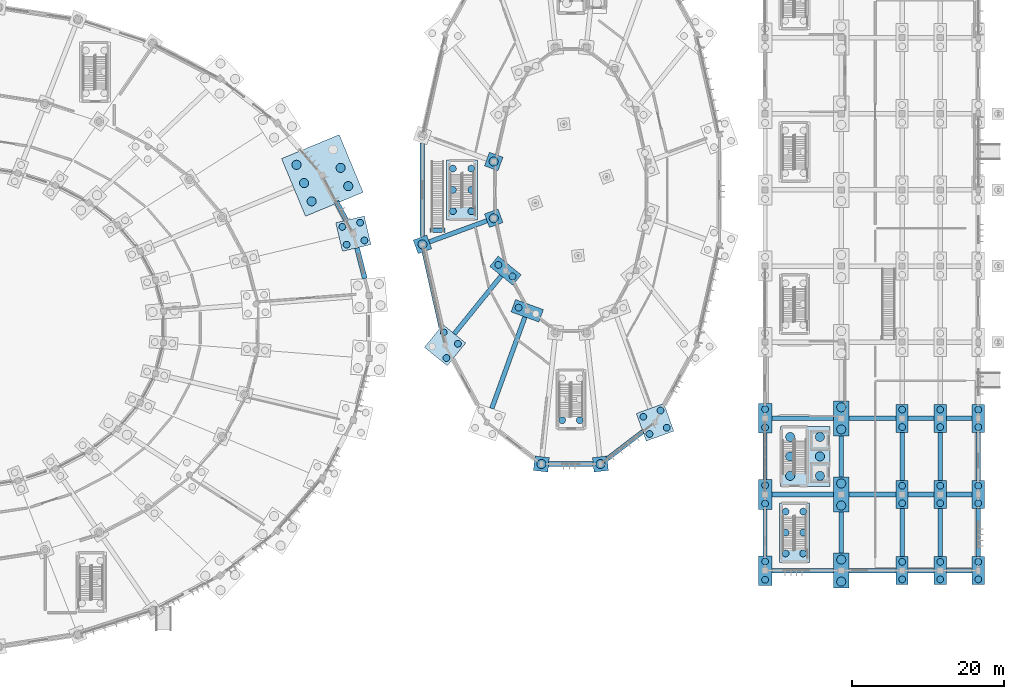
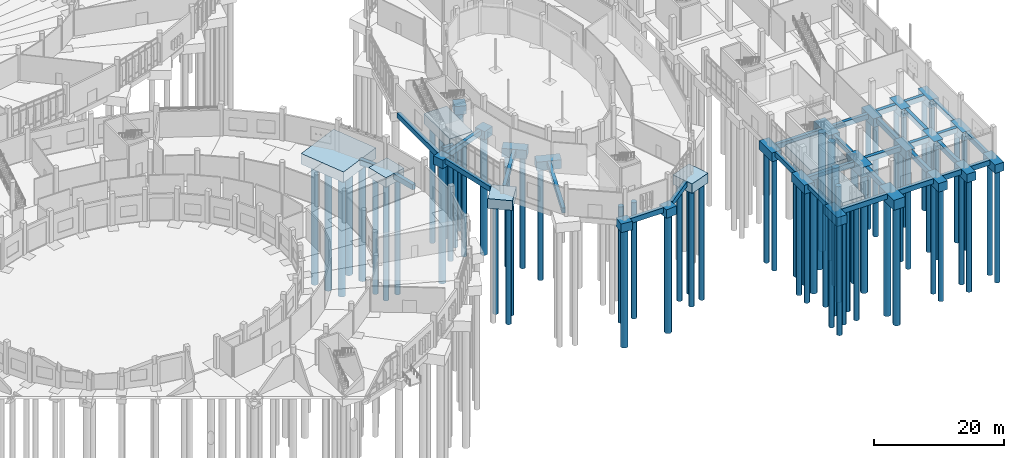
# One storey, part 8 of 140: 74 piles, 61 footings.
"""IFC4 building model written with IfcOpenShell, lengths in metres."""

from ifc_helpers import new_model, si_unit, direction, frame, origin, origin_2d, place, context, subcontext, project, spatial, rectangle, circle, extrude, material, layer, layer_set, material_profile, profile_set, type_object, element, save


model = new_model("IFC4")

# Units and contexts
model_context = context("Model", 3, precision=1e-05, world=origin(), true_north=direction((0.0, 1.0)))
body_context = subcontext(model_context, "Body", "Model", "MODEL_VIEW")
ifc_project = project(units=[si_unit("LENGTHUNIT", "METRE"), si_unit("AREAUNIT", "SQUARE_METRE"), si_unit("VOLUMEUNIT", "CUBIC_METRE"), si_unit("PLANEANGLEUNIT", "RADIAN"), si_unit("MASSUNIT", "GRAM", prefix="KILO")], contexts=[model_context])

# Site, building, storey
site_placement = place(None, origin())
site = spatial("IfcSite", under=ifc_project, at=site_placement, CompositionType="ELEMENT")
building_placement = place(site_placement, origin())
building = spatial("IfcBuilding", under=site, at=building_placement, Name="Corvandel Quay Wholesale Market", CompositionType="ELEMENT")
storey_placement = place(building_placement, origin())
storey = spatial("IfcBuildingStorey", under=building, at=storey_placement, Name="L00", CompositionType="ELEMENT", Elevation=0.0)

# Piles
ifc_material = material(Name="Concrete C40/50", Category="concrete")
ifc_material_profile_1 = material_profile(ifc_material, circle(Radius=0.60009765625, at=origin_2d()), Name="RC-PILE-D1200")
ifc_profile_set_1 = profile_set([ifc_material_profile_1], Name="Concrete C40/50")
pile_type_1 = type_object("IfcPileType", Name="Bored Pile D1200 L22.2", PredefinedType="BORED", material=ifc_profile_set_1)
for number, where, z_axis, x_axis, name in (
    (1, (223.300048828125, 22.449951171875, -1.85009765625), (0.0, 0.0, -1.0), (1.0, 0.0, 0.0), "Bored Pile PIL-0035"),
    (2, (227.199951171875, 22.449951171875, -1.85009765625), (0.0, 0.0, -1.0), (1.0, 0.0, 0.0), "Bored Pile PIL-0036"),
    (3, (223.300048828125, 25.0, -1.85009765625), (0.0, 0.0, -1.0), (1.0, 0.0, 0.0), "Bored Pile PIL-0037"),
    (4, (227.199951171875, 25.0, -1.85009765625), (0.0, 0.0, -1.0), (1.0, 0.0, 0.0), "Bored Pile PIL-0038"),
    (5, (223.300048828125, 27.550048828125, -1.85009765625), (0.0, 0.0, -1.0), (1.0, 0.0, 0.0), "Bored Pile PIL-0039"),
    (6, (227.199951171875, 27.550048828125, -1.85009765625), (0.0, 0.0, -1.0), (1.0, 0.0, 0.0), "Bored Pile PIL-0040"),
    (7, (184.360107421875, 63.72412109375, -1.5), (0.0, 0.0, -1.0), (1.0, 0.0, 0.0), "Bored Pile PIL-0532"),
    (8, (175.0, 52.839111328125, -1.5), (0.0, 0.0, -1.0), (1.0, 0.0, 0.0), "Bored Pile PIL-0533"),
    (9, (184.360107421875, 56.27587890625, -1.5), (0.0, 0.0, -1.0), (1.0, 0.0, 0.0), "Bored Pile PIL-0534"),
    (10, (190.62109375, 24.0, -1.5), (0.0, 0.0, -1.0), (1.0, 0.0, 0.0), "Bored Pile PIL-0548"),
    (11, (198.37890625, 24.0, -1.5), (0.0, 0.0, -1.0), (1.0, 0.0, 0.0), "Bored Pile PIL-0550"),
    (12, (230.0, 8.550048828125, -1.75), (0.0, 0.0, -1.0), (1.0, 0.0, 0.0), "Bored Pile PIL-0772"),
    (13, (230.0, 11.449951171875, -1.75), (0.0, 0.0, -1.0), (1.0, 0.0, 0.0), "Bored Pile PIL-0773"),
    (14, (230.0, 18.550048828125, -1.75), (0.0, 0.0, -1.0), (1.0, 0.0, 0.0), "Bored Pile PIL-0774"),
    (15, (230.0, 21.449951171875, -1.75), (0.0, 0.0, -1.0), (1.0, 0.0, 0.0), "Bored Pile PIL-0775"),
    (16, (230.0, 28.550048828125, -1.75), (0.0, 0.0, -1.0), (1.0, 0.0, 0.0), "Bored Pile PIL-0776"),
    (17, (230.0, 31.449951171875, -1.75), (0.0, 0.0, -1.0), (1.0, 0.0, 0.0), "Bored Pile PIL-0777"),
):
    element("IfcPile", number, at=place(storey_placement, frame(where, z_axis=z_axis, x_axis=x_axis)), inside=storey, type_object=pile_type_1, Name=name, PredefinedType="BORED", context=body_context, shape_type="SweptSolid", body=[
        extrude(circle(Radius=0.60009765625, at=origin_2d()), origin(), (0.0, 0.0, 1.0), 22.199951171875),
    ])
ifc_material_profile_2 = material_profile(ifc_material, circle(Radius=0.60009765625, at=origin_2d()), Name="RC-PILE-D1200")
ifc_profile_set_2 = profile_set([ifc_material_profile_2], Name="Concrete C40/50")
pile_type_2 = type_object("IfcPileType", Name="Bored Pile D1200 L22.6", PredefinedType="BORED", material=ifc_profile_set_2)
for number, where, z_axis, x_axis, name in (
    (18, (165.2529296875, 60.490966796875, -1.89990234375), (0.0, 0.0, -1.0), (1.0, 0.0, 0.0), "Bored Pile PIL-0143"),
    (19, (164.2548828125, 62.89208984375, -1.89990234375), (0.0, 0.0, -1.0), (1.0, 0.0, 0.0), "Bored Pile PIL-0144"),
    (20, (160.450927734375, 58.4951171875, -1.89990234375), (0.0, 0.0, -1.0), (1.0, 0.0, 0.0), "Bored Pile PIL-0146"),
    (21, (159.452880859375, 60.89599609375, -1.89990234375), (0.0, 0.0, -1.0), (1.0, 0.0, 0.0), "Bored Pile PIL-0147"),
    (22, (158.455078125, 63.297119140625, -1.89990234375), (0.0, 0.0, -1.0), (1.0, 0.0, 0.0), "Bored Pile PIL-0148"),
):
    element("IfcPile", number, at=place(storey_placement, frame(where, z_axis=z_axis, x_axis=x_axis)), inside=storey, type_object=pile_type_2, Name=name, PredefinedType="BORED", context=body_context, shape_type="SweptSolid", body=[
        extrude(circle(Radius=0.60009765625, at=origin_2d()), origin(), (0.0, 0.0, 1.0), 22.60009765625),
    ])
ifc_material_profile_3 = material_profile(ifc_material, circle(Radius=0.449951171875, at=origin_2d()), Name="RC-PILE-D900")
ifc_profile_set_3 = profile_set([ifc_material_profile_3], Name="Concrete C40/50")
pile_type_3 = type_object("IfcPileType", Name="Bored Pile D900 L21.0", PredefinedType="BORED", material=ifc_profile_set_3)
for number, where, z_axis, x_axis, name in (
    (23, (186.8359375, 48.639892578125, -1.550048828125), (0.0, 0.0, -1.0), (1.0, 0.0, 0.0), "Bored Pile PIL-0540"),
    (24, (184.971923828125, 50.152099609375, -1.550048828125), (0.0, 0.0, -1.0), (1.0, 0.0, 0.0), "Bored Pile PIL-0541"),
    (25, (187.6279296875, 44.5380859375, -1.550048828125), (0.0, 0.0, -1.0), (1.0, 0.0, 0.0), "Bored Pile PIL-0547"),
    (26, (220.0, 8.800048828125, -1.550048828125), (0.0, 0.0, -1.0), (1.0, 0.0, 0.0), "Bored Pile PIL-0750"),
    (27, (220.0, 11.199951171875, -1.550048828125), (0.0, 0.0, -1.0), (1.0, 0.0, 0.0), "Bored Pile PIL-0751"),
    (28, (220.0, 18.800048828125, -1.550048828125), (0.0, 0.0, -1.0), (1.0, 0.0, 0.0), "Bored Pile PIL-0752"),
    (29, (220.0, 21.199951171875, -1.550048828125), (0.0, 0.0, -1.0), (1.0, 0.0, 0.0), "Bored Pile PIL-0753"),
    (30, (220.0, 28.800048828125, -1.550048828125), (0.0, 0.0, -1.0), (1.0, 0.0, 0.0), "Bored Pile PIL-0754"),
    (31, (220.0, 31.199951171875, -1.550048828125), (0.0, 0.0, -1.0), (1.0, 0.0, 0.0), "Bored Pile PIL-0755"),
    (32, (238.0, 8.85009765625, -1.5), (0.0, 0.0, -1.0), (1.0, 0.0, 0.0), "Bored Pile PIL-0794"),
    (33, (238.0, 11.14990234375, -1.5), (0.0, 0.0, -1.0), (1.0, 0.0, 0.0), "Bored Pile PIL-0795"),
    (34, (238.0, 18.85009765625, -1.5), (0.0, 0.0, -1.0), (1.0, 0.0, 0.0), "Bored Pile PIL-0796"),
    (35, (238.0, 21.14990234375, -1.5), (0.0, 0.0, -1.0), (1.0, 0.0, 0.0), "Bored Pile PIL-0797"),
    (36, (238.0, 28.85009765625, -1.5), (0.0, 0.0, -1.0), (1.0, 0.0, 0.0), "Bored Pile PIL-0798"),
    (37, (238.0, 31.14990234375, -1.5), (0.0, 0.0, -1.0), (1.0, 0.0, 0.0), "Bored Pile PIL-0799"),
    (38, (243.0, 8.85009765625, -1.5), (0.0, 0.0, -1.0), (1.0, 0.0, 0.0), "Bored Pile PIL-0816"),
    (39, (243.0, 11.14990234375, -1.5), (0.0, 0.0, -1.0), (1.0, 0.0, 0.0), "Bored Pile PIL-0817"),
    (40, (243.0, 18.85009765625, -1.5), (0.0, 0.0, -1.0), (1.0, 0.0, 0.0), "Bored Pile PIL-0818"),
    (41, (243.0, 21.14990234375, -1.5), (0.0, 0.0, -1.0), (1.0, 0.0, 0.0), "Bored Pile PIL-0819"),
    (42, (243.0, 28.85009765625, -1.5), (0.0, 0.0, -1.0), (1.0, 0.0, 0.0), "Bored Pile PIL-0820"),
    (43, (243.0, 31.14990234375, -1.5), (0.0, 0.0, -1.0), (1.0, 0.0, 0.0), "Bored Pile PIL-0821"),
    (44, (248.0, 8.85009765625, -1.5), (0.0, 0.0, -1.0), (1.0, 0.0, 0.0), "Bored Pile PIL-0838"),
    (45, (248.0, 11.14990234375, -1.5), (0.0, 0.0, -1.0), (1.0, 0.0, 0.0), "Bored Pile PIL-0839"),
    (46, (248.0, 18.85009765625, -1.5), (0.0, 0.0, -1.0), (1.0, 0.0, 0.0), "Bored Pile PIL-0840"),
    (47, (248.0, 21.14990234375, -1.5), (0.0, 0.0, -1.0), (1.0, 0.0, 0.0), "Bored Pile PIL-0841"),
    (48, (248.0, 28.85009765625, -1.5), (0.0, 0.0, -1.0), (1.0, 0.0, 0.0), "Bored Pile PIL-0842"),
    (49, (248.0, 31.14990234375, -1.5), (0.0, 0.0, -1.0), (1.0, 0.0, 0.0), "Bored Pile PIL-0843"),
):
    element("IfcPile", number, at=place(storey_placement, frame(where, z_axis=z_axis, x_axis=x_axis)), inside=storey, type_object=pile_type_3, Name=name, PredefinedType="BORED", context=body_context, shape_type="SweptSolid", body=[
        extrude(circle(Radius=0.449951171875, at=origin_2d()), origin(), (0.0, 0.0, 1.0), 21.0),
    ])
ifc_material_profile_4 = material_profile(ifc_material, circle(Radius=0.449951171875, at=origin_2d()), Name="RC-PILE-D900")
ifc_profile_set_4 = profile_set([ifc_material_profile_4], Name="Concrete C40/50")
pile_type_4 = type_object("IfcPileType", Name="Bored Pile D900 L21.8", PredefinedType="BORED", material=ifc_profile_set_4)
for number, where, z_axis, x_axis, name in (
    (50, (193.35009765625, 29.75, -1.800048828125), (0.0, 0.0, -1.0), (1.0, 0.0, 0.0), "Bored Pile PIL-0071"),
    (51, (195.64990234375, 29.75, -1.800048828125), (0.0, 0.0, -1.0), (1.0, 0.0, 0.0), "Bored Pile PIL-0072"),
    (52, (179.0, 57.199951171875, -1.85009765625), (0.0, 0.0, -1.0), (1.0, 0.0, 0.0), "Bored Pile PIL-0077"),
    (53, (181.39990234375, 57.199951171875, -1.85009765625), (0.0, 0.0, -1.0), (1.0, 0.0, 0.0), "Bored Pile PIL-0078"),
    (54, (179.0, 60.0, -1.85009765625), (0.0, 0.0, -1.0), (1.0, 0.0, 0.0), "Bored Pile PIL-0079"),
    (55, (181.39990234375, 60.0, -1.85009765625), (0.0, 0.0, -1.0), (1.0, 0.0, 0.0), "Bored Pile PIL-0080"),
    (56, (179.0, 62.800048828125, -1.85009765625), (0.0, 0.0, -1.0), (1.0, 0.0, 0.0), "Bored Pile PIL-0081"),
    (57, (181.39990234375, 62.800048828125, -1.85009765625), (0.0, 0.0, -1.0), (1.0, 0.0, 0.0), "Bored Pile PIL-0082"),
    (58, (222.699951171875, 12.25, -1.800048828125), (0.0, 0.0, -1.0), (1.0, 0.0, 0.0), "Bored Pile PIL-0113"),
    (59, (225.0, 12.25, -1.800048828125), (0.0, 0.0, -1.0), (1.0, 0.0, 0.0), "Bored Pile PIL-0114"),
    (60, (222.699951171875, 15.0, -1.800048828125), (0.0, 0.0, -1.0), (1.0, 0.0, 0.0), "Bored Pile PIL-0115"),
    (61, (225.0, 15.0, -1.800048828125), (0.0, 0.0, -1.0), (1.0, 0.0, 0.0), "Bored Pile PIL-0116"),
    (62, (222.699951171875, 17.75, -1.800048828125), (0.0, 0.0, -1.0), (1.0, 0.0, 0.0), "Bored Pile PIL-0117"),
    (63, (225.0, 17.75, -1.800048828125), (0.0, 0.0, -1.0), (1.0, 0.0, 0.0), "Bored Pile PIL-0118"),
    (64, (167.368896484375, 53.35888671875, -1.699951171875), (0.0, 0.0, -1.0), (1.0, 0.0, 0.0), "Bored Pile PIL-0135"),
    (65, (166.81689453125, 55.695068359375, -1.699951171875), (0.0, 0.0, -1.0), (1.0, 0.0, 0.0), "Bored Pile PIL-0136"),
    (66, (165.032958984375, 52.806884765625, -1.699951171875), (0.0, 0.0, -1.0), (1.0, 0.0, 0.0), "Bored Pile PIL-0137"),
    (67, (164.48095703125, 55.14306640625, -1.699951171875), (0.0, 0.0, -1.0), (1.0, 0.0, 0.0), "Bored Pile PIL-0138"),
    (68, (179.656982421875, 39.784912109375, -1.699951171875), (0.0, 0.0, -1.0), (1.0, 0.0, 0.0), "Bored Pile PIL-0536"),
    (69, (177.7919921875, 41.2958984375, -1.699951171875), (0.0, 0.0, -1.0), (1.0, 0.0, 0.0), "Bored Pile PIL-0537"),
    (70, (178.14599609375, 37.919921875, -1.699951171875), (0.0, 0.0, -1.0), (1.0, 0.0, 0.0), "Bored Pile PIL-0538"),
    (71, (204.825927734375, 27.944091796875, -1.699951171875), (0.0, 0.0, -1.0), (1.0, 0.0, 0.0), "Bored Pile PIL-0553"),
    (72, (207.0830078125, 28.760986328125, -1.699951171875), (0.0, 0.0, -1.0), (1.0, 0.0, 0.0), "Bored Pile PIL-0554"),
    (73, (204.009033203125, 30.200927734375, -1.699951171875), (0.0, 0.0, -1.0), (1.0, 0.0, 0.0), "Bored Pile PIL-0555"),
    (74, (206.26611328125, 31.01806640625, -1.699951171875), (0.0, 0.0, -1.0), (1.0, 0.0, 0.0), "Bored Pile PIL-0556"),
):
    element("IfcPile", number, at=place(storey_placement, frame(where, z_axis=z_axis, x_axis=x_axis)), inside=storey, type_object=pile_type_4, Name=name, PredefinedType="BORED", context=body_context, shape_type="SweptSolid", body=[
        extrude(circle(Radius=0.449951171875, at=origin_2d()), origin(), (0.0, 0.0, 1.0), 21.800048828125),
    ])

# Footings
ifc_layer_1 = layer(ifc_material, 2.0)
ifc_layer_set_1 = layer_set([ifc_layer_1], Name="Concrete C40/50")
footing_type_1 = type_object("IfcFootingType", Name="Core Mat Cap PC17 8200x8200x2000", PredefinedType="PILE_CAP", material=ifc_layer_set_1)
footing_1_placement = place(storey_placement, frame((161.85400390625, 61.89404296875, -2.0), z_axis=(0.0, 0.0, 1.0), x_axis=(-0.383811878264, 0.923411307113, 0.0)))
element("IfcFooting", 75, at=footing_1_placement, inside=storey, type_object=footing_type_1, Name="Pile Cap FND-0029", PredefinedType="PILE_CAP", context=body_context, shape_type="SweptSolid", body=[
    extrude(rectangle(XDim=8.199951171875, YDim=8.199951171875, at=origin_2d()), origin(), (0.0, 0.0, 1.0), 2.0),
])
ifc_layer_2 = layer(ifc_material, 1.949951171875)
ifc_layer_set_2 = layer_set([ifc_layer_2], Name="Concrete C40/50")
footing_type_2 = type_object("IfcFootingType", Name="Core Mat Cap PC20 6500x7900x1950", PredefinedType="PILE_CAP", material=ifc_layer_set_2)
footing_2_placement = place(storey_placement, frame((225.25, 25.0, -1.9501953125), z_axis=(0.0, 0.0, 1.0), x_axis=(1.0, 0.0, 0.0)))
element("IfcFooting", 76, at=footing_2_placement, inside=storey, type_object=footing_type_2, Name="Pile Cap FND-0008", PredefinedType="PILE_CAP", context=body_context, shape_type="SweptSolid", body=[
    extrude(rectangle(XDim=6.5, YDim=7.89990234375, at=origin_2d()), origin(), (0.0, 0.0, 1.0), 1.949951171875),
])
ifc_layer_3 = layer(ifc_material, 0.89990234375)
ifc_layer_set_3 = layer_set([ifc_layer_3], Name="Concrete C40/50")
footing_type_3 = type_object("IfcFootingType", Name="Perimeter Grade Beam GB03 550x900", PredefinedType="FOOTING_BEAM", material=ifc_layer_set_3)
for number, where, z_axis, x_axis, name in (
    (77, (220.0, 15.0, -0.89990234375), (0.0, 0.0, 1.0), (0.0, 1.0, 0.0), "Grade Beam FND-0722"),
    (78, (220.0, 25.0, -0.89990234375), (0.0, 0.0, 1.0), (0.0, 1.0, 0.0), "Grade Beam FND-0723"),
):
    element("IfcFooting", number, at=place(storey_placement, frame(where, z_axis=z_axis, x_axis=x_axis)), inside=storey, type_object=footing_type_3, Name=name, PredefinedType="FOOTING_BEAM", context=body_context, shape_type="SweptSolid", body=[
        extrude(rectangle(XDim=6.10009765625, YDim=0.550048828125, at=origin_2d()), origin(), (0.0, 0.0, 1.0), 0.89990234375),
    ])
for number, where, z_axis, x_axis, name in (
    (79, (248.0, 15.0, -0.89990234375), (0.0, 0.0, 1.0), (0.0, 1.0, 0.0), "Grade Beam FND-0762"),
    (80, (248.0, 25.0, -0.89990234375), (0.0, 0.0, 1.0), (0.0, 1.0, 0.0), "Grade Beam FND-0763"),
):
    element("IfcFooting", number, at=place(storey_placement, frame(where, z_axis=z_axis, x_axis=x_axis)), inside=storey, type_object=footing_type_3, Name=name, PredefinedType="FOOTING_BEAM", context=body_context, shape_type="SweptSolid", body=[
        extrude(rectangle(XDim=6.300048828125, YDim=0.550048828125, at=origin_2d()), origin(), (0.0, 0.0, 1.0), 0.89990234375),
    ])
footing_3_placement = place(storey_placement, frame((177.0, 54.699951171875, -0.89990234375), z_axis=(0.0, 0.0, 1.0), x_axis=(1.0, 0.0, 0.0)))
element("IfcFooting", 81, at=footing_3_placement, inside=storey, type_object=footing_type_3, Name="Stair Toe Grade Beam FND-0778", PredefinedType="FOOTING_BEAM", context=body_context, shape_type="SweptSolid", body=[
    extrude(rectangle(XDim=1.949951171875, YDim=0.550048828125, at=origin_2d()), origin(), (0.0, 0.0, 1.0), 0.89990234375),
])
ifc_layer_4 = layer(ifc_material, 1.60009765625)
ifc_layer_set_4 = layer_set([ifc_layer_4], Name="Concrete C40/50")
footing_type_4 = type_object("IfcFootingType", Name="Pile Cap PC01 1600x3700x1600", PredefinedType="PILE_CAP", material=ifc_layer_set_4)
for number, where, z_axis, x_axis, name in (
    (82, (238.0, 10.0, -1.60009765625), (0.0, 0.0, 1.0), (1.0, 0.0, 0.0), "Pile Cap FND-0645"),
    (83, (238.0, 20.0, -1.60009765625), (0.0, 0.0, 1.0), (1.0, 0.0, 0.0), "Pile Cap FND-0646"),
    (84, (238.0, 30.0, -1.60009765625), (0.0, 0.0, 1.0), (1.0, 0.0, 0.0), "Pile Cap FND-0647"),
    (85, (243.0, 10.0, -1.60009765625), (0.0, 0.0, 1.0), (1.0, 0.0, 0.0), "Pile Cap FND-0656"),
    (86, (243.0, 20.0, -1.60009765625), (0.0, 0.0, 1.0), (1.0, 0.0, 0.0), "Pile Cap FND-0657"),
    (87, (243.0, 30.0, -1.60009765625), (0.0, 0.0, 1.0), (1.0, 0.0, 0.0), "Pile Cap FND-0658"),
    (88, (248.0, 10.0, -1.60009765625), (0.0, 0.0, 1.0), (1.0, 0.0, 0.0), "Pile Cap FND-0667"),
    (89, (248.0, 20.0, -1.60009765625), (0.0, 0.0, 1.0), (1.0, 0.0, 0.0), "Pile Cap FND-0668"),
    (90, (248.0, 30.0, -1.60009765625), (0.0, 0.0, 1.0), (1.0, 0.0, 0.0), "Pile Cap FND-0669"),
):
    element("IfcFooting", number, at=place(storey_placement, frame(where, z_axis=z_axis, x_axis=x_axis)), inside=storey, type_object=footing_type_4, Name=name, PredefinedType="PILE_CAP", context=body_context, shape_type="SweptSolid", body=[
        extrude(rectangle(XDim=1.60009765625, YDim=3.699951171875, at=origin_2d()), origin(), (0.0, 0.0, 1.0), 1.60009765625),
    ])
ifc_layer_5 = layer(ifc_material, 1.64990234375)
ifc_layer_set_5 = layer_set([ifc_layer_5], Name="Concrete C40/50")
footing_type_5 = type_object("IfcFootingType", Name="Pile Cap PC03 1750x3900x1650", PredefinedType="PILE_CAP", material=ifc_layer_set_5)
for number, where, z_axis, x_axis, name in (
    (91, (220.0, 10.0, -1.64990234375), (0.0, 0.0, 1.0), (1.0, 0.0, 0.0), "Pile Cap FND-0623"),
    (92, (220.0, 20.0, -1.64990234375), (0.0, 0.0, 1.0), (1.0, 0.0, 0.0), "Pile Cap FND-0624"),
    (93, (220.0, 30.0, -1.64990234375), (0.0, 0.0, 1.0), (1.0, 0.0, 0.0), "Pile Cap FND-0625"),
):
    element("IfcFooting", number, at=place(storey_placement, frame(where, z_axis=z_axis, x_axis=x_axis)), inside=storey, type_object=footing_type_5, Name=name, PredefinedType="PILE_CAP", context=body_context, shape_type="SweptSolid", body=[
        extrude(rectangle(XDim=1.75, YDim=3.89990234375, at=origin_2d()), origin(), (0.0, 0.0, 1.0), 1.64990234375),
    ])
ifc_layer_6 = layer(ifc_material, 1.64990234375)
ifc_layer_set_6 = layer_set([ifc_layer_6], Name="Concrete C40/50")
footing_type_6 = type_object("IfcFootingType", Name="Pile Cap PC04 3900x1750x1650", PredefinedType="PILE_CAP", material=ifc_layer_set_6)
for number, where, z_axis, x_axis, name in (
    (94, (185.904052734375, 49.39599609375, -1.64990234375), (0.0, 0.0, 1.0), (-0.776816343556, 0.629727217439, 0.0), "Pile Cap FND-0357"),
    (95, (188.756103515625, 44.1298828125, -1.64990234375), (0.0, 0.0, 1.0), (-0.94028812701, 0.340379550213, 0.0), "Pile Cap FND-0359"),
):
    element("IfcFooting", number, at=place(storey_placement, frame(where, z_axis=z_axis, x_axis=x_axis)), inside=storey, type_object=footing_type_6, Name=name, PredefinedType="PILE_CAP", context=body_context, shape_type="SweptSolid", body=[
        extrude(rectangle(XDim=3.89990234375, YDim=1.75, at=origin_2d()), origin(), (0.0, 0.0, 1.0), 1.64990234375),
    ])
ifc_layer_7 = layer(ifc_material, 1.800048828125)
ifc_layer_set_7 = layer_set([ifc_layer_7], Name="Concrete C40/50")
footing_type_7 = type_object("IfcFootingType", Name="Pile Cap PC06 3850x3850x1800", PredefinedType="PILE_CAP", material=ifc_layer_set_7)
for number, where, z_axis, x_axis, name in (
    (96, (165.925048828125, 54.2509765625, -1.7998046875), (0.0, 0.0, 1.0), (-0.229710019669, 0.973259115993, 0.0), "Pile Cap FND-0026"),
    (97, (177.968994140625, 39.60791015625, -1.7998046875), (0.0, 0.0, 1.0), (-0.776816343556, 0.629727217439, 0.0), "Pile Cap FND-0356"),
    (98, (205.5458984375, 29.48095703125, -1.7998046875), (0.0, 0.0, 1.0), (0.94028812701, 0.340379550213, 0.0), "Pile Cap FND-0365"),
):
    element("IfcFooting", number, at=place(storey_placement, frame(where, z_axis=z_axis, x_axis=x_axis)), inside=storey, type_object=footing_type_7, Name=name, PredefinedType="PILE_CAP", context=body_context, shape_type="SweptSolid", body=[
        extrude(rectangle(XDim=3.85009765625, YDim=3.85009765625, at=origin_2d()), origin(), (0.0, 0.0, 1.0), 1.800048828125),
    ])
ifc_layer_8 = layer(ifc_material, 1.85009765625)
ifc_layer_set_8 = layer_set([ifc_layer_8], Name="Concrete C40/50")
footing_type_8 = type_object("IfcFootingType", Name="Pile Cap PC09 2000x4600x1850", PredefinedType="PILE_CAP", material=ifc_layer_set_8)
for number, where, z_axis, x_axis, name in (
    (99, (230.0, 10.0, -1.85009765625), (0.0, 0.0, 1.0), (1.0, 0.0, 0.0), "Pile Cap FND-0634"),
    (100, (230.0, 20.0, -1.85009765625), (0.0, 0.0, 1.0), (1.0, 0.0, 0.0), "Pile Cap FND-0635"),
    (101, (230.0, 30.0, -1.85009765625), (0.0, 0.0, 1.0), (1.0, 0.0, 0.0), "Pile Cap FND-0636"),
):
    element("IfcFooting", number, at=place(storey_placement, frame(where, z_axis=z_axis, x_axis=x_axis)), inside=storey, type_object=footing_type_8, Name=name, PredefinedType="PILE_CAP", context=body_context, shape_type="SweptSolid", body=[
        extrude(rectangle(XDim=2.0, YDim=4.60009765625, at=origin_2d()), origin(), (0.0, 0.0, 1.0), 1.85009765625),
    ])
ifc_layer_9 = layer(ifc_material, 1.60009765625)
ifc_layer_set_9 = layer_set([ifc_layer_9], Name="Concrete C40/50")
footing_type_9 = type_object("IfcFootingType", Name="Pile Cap PC16 1900x1900x1600", PredefinedType="PILE_CAP", material=ifc_layer_set_9)
for number, where, z_axis, x_axis, name in (
    (102, (184.360107421875, 63.72412109375, -1.60009765625), (0.0, 0.0, 1.0), (0.344642923175, 0.938733857654, 0.0), "Pile Cap FND-0352"),
    (103, (175.0, 52.839111328125, -1.60009765625), (0.0, 0.0, 1.0), (-0.344642923175, 0.938733857654, 0.0), "Pile Cap FND-0353"),
    (104, (184.360107421875, 56.27587890625, -1.60009765625), (0.0, 0.0, 1.0), (-0.344642923175, 0.938733857654, 0.0), "Pile Cap FND-0354"),
    (105, (190.62109375, 24.0, -1.60009765625), (0.0, 0.0, 1.0), (-0.994244832633, 0.107131754314, 0.0), "Pile Cap FND-0360"),
    (106, (198.37890625, 24.0, -1.60009765625), (0.0, 0.0, 1.0), (0.994244832633, 0.107131754314, 0.0), "Pile Cap FND-0362"),
):
    element("IfcFooting", number, at=place(storey_placement, frame(where, z_axis=z_axis, x_axis=x_axis)), inside=storey, type_object=footing_type_9, Name=name, PredefinedType="PILE_CAP", context=body_context, shape_type="SweptSolid", body=[
        extrude(rectangle(XDim=1.89990234375, YDim=1.89990234375, at=origin_2d()), origin(), (0.0, 0.0, 1.0), 1.60009765625),
    ])
ifc_layer_10 = layer(ifc_material, 0.949951171875)
ifc_layer_set_10 = layer_set([ifc_layer_10], Name="Concrete C40/50")
footing_type_10 = type_object("IfcFootingType", Name="Seismic Tie Beam GB01 600x950", PredefinedType="FOOTING_BEAM", material=ifc_layer_set_10)
footing_4_placement = place(storey_placement, frame((175.0, 60.0, -0.9501953125), z_axis=(0.0, 0.0, 1.0), x_axis=(0.0, 1.0, 0.0)))
element("IfcFooting", 107, at=footing_4_placement, inside=storey, type_object=footing_type_10, Name="Grade Beam FND-0385", PredefinedType="FOOTING_BEAM", context=body_context, shape_type="SweptSolid", body=[
    extrude(rectangle(XDim=12.298095703125, YDim=0.60009765625, at=origin_2d()), origin(), (0.0, 0.0, 1.0), 0.949951171875),
])
footing_5_placement = place(storey_placement, frame((176.321044921875, 46.952880859375, -0.9501953125), z_axis=(0.0, 0.0, 1.0), x_axis=(-0.218994806262, 0.975726024471, 0.0)))
element("IfcFooting", 108, at=footing_5_placement, inside=storey, type_object=footing_type_10, Name="Grade Beam FND-0387", PredefinedType="FOOTING_BEAM", context=body_context, shape_type="SweptSolid", body=[
    extrude(rectangle(XDim=10.14794921875, YDim=0.60009765625, at=origin_2d()), origin(), (0.0, 0.0, 1.0), 0.949951171875),
])
footing_6_placement = place(storey_placement, frame((179.679931640625, 54.55810546875, -0.9501953125), z_axis=(0.0, 0.0, 1.0), x_axis=(0.938733857654, 0.344642923175, 0.0)))
element("IfcFooting", 109, at=footing_6_placement, inside=storey, type_object=footing_type_10, Name="Grade Beam FND-0388", PredefinedType="FOOTING_BEAM", context=body_context, shape_type="SweptSolid", body=[
    extrude(rectangle(XDim=8.071044921875, YDim=0.60009765625, at=origin_2d()), origin(), (0.0, 0.0, 1.0), 0.949951171875),
])
footing_7_placement = place(storey_placement, frame((182.26708984375, 44.909912109375, -0.9501953125), z_axis=(0.0, 0.0, 1.0), x_axis=(0.629727217439, 0.776816343556, 0.0)))
element("IfcFooting", 110, at=footing_7_placement, inside=storey, type_object=footing_type_10, Name="Grade Beam FND-0390", PredefinedType="FOOTING_BEAM", context=body_context, shape_type="SweptSolid", body=[
    extrude(rectangle(XDim=9.800048828125, YDim=0.60009765625, at=origin_2d()), origin(), (0.0, 0.0, 1.0), 0.949951171875),
])
footing_8_placement = place(storey_placement, frame((186.283935546875, 37.299072265625, -0.9501953125), z_axis=(0.0, 0.0, 1.0), x_axis=(0.340379550213, 0.94028812701, 0.0)))
element("IfcFooting", 111, at=footing_8_placement, inside=storey, type_object=footing_type_10, Name="Grade Beam FND-0392", PredefinedType="FOOTING_BEAM", context=body_context, shape_type="SweptSolid", body=[
    extrude(rectangle(XDim=12.779052734375, YDim=0.60009765625, at=origin_2d()), origin(), (0.0, 0.0, 1.0), 0.949951171875),
])
footing_9_placement = place(storey_placement, frame((194.5, 24.0, -0.9501953125), z_axis=(0.0, 0.0, 1.0), x_axis=(1.0, 0.0, 0.0)))
element("IfcFooting", 112, at=footing_9_placement, inside=storey, type_object=footing_type_10, Name="Grade Beam FND-0393", PredefinedType="FOOTING_BEAM", context=body_context, shape_type="SweptSolid", body=[
    extrude(rectangle(XDim=5.846923828125, YDim=0.60009765625, at=origin_2d()), origin(), (0.0, 0.0, 1.0), 0.949951171875),
])
footing_10_placement = place(storey_placement, frame((201.60205078125, 26.465087890625, -0.9501953125), z_axis=(0.0, 0.0, 1.0), x_axis=(0.794308601354, 0.607514481979, 0.0)))
element("IfcFooting", 113, at=footing_10_placement, inside=storey, type_object=footing_type_10, Name="Grade Beam FND-0395", PredefinedType="FOOTING_BEAM", context=body_context, shape_type="SweptSolid", body=[
    extrude(rectangle(XDim=5.89306640625, YDim=0.60009765625, at=origin_2d()), origin(), (0.0, 0.0, 1.0), 0.949951171875),
])
footing_11_placement = place(storey_placement, frame((224.93798828125, 10.0, -0.9501953125), z_axis=(0.0, 0.0, 1.0), x_axis=(1.0, 0.0, 0.0)))
element("IfcFooting", 114, at=footing_11_placement, inside=storey, type_object=footing_type_10, Name="Grade Beam FND-0678", PredefinedType="FOOTING_BEAM", context=body_context, shape_type="SweptSolid", body=[
    extrude(rectangle(XDim=8.125, YDim=0.60009765625, at=origin_2d()), origin(), (0.0, 0.0, 1.0), 0.949951171875),
])
footing_12_placement = place(storey_placement, frame((234.10009765625, 10.0, -0.9501953125), z_axis=(0.0, 0.0, 1.0), x_axis=(1.0, 0.0, 0.0)))
element("IfcFooting", 115, at=footing_12_placement, inside=storey, type_object=footing_type_10, Name="Grade Beam FND-0679", PredefinedType="FOOTING_BEAM", context=body_context, shape_type="SweptSolid", body=[
    extrude(rectangle(XDim=6.199951171875, YDim=0.60009765625, at=origin_2d()), origin(), (0.0, 0.0, 1.0), 0.949951171875),
])
for number, where, z_axis, x_axis, name in (
    (116, (240.5, 10.0, -0.9501953125), (0.0, 0.0, 1.0), (1.0, 0.0, 0.0), "Grade Beam FND-0680"),
    (117, (245.5, 10.0, -0.9501953125), (0.0, 0.0, 1.0), (1.0, 0.0, 0.0), "Grade Beam FND-0681"),
):
    element("IfcFooting", number, at=place(storey_placement, frame(where, z_axis=z_axis, x_axis=x_axis)), inside=storey, type_object=footing_type_10, Name=name, PredefinedType="FOOTING_BEAM", context=body_context, shape_type="SweptSolid", body=[
        extrude(rectangle(XDim=3.39990234375, YDim=0.60009765625, at=origin_2d()), origin(), (0.0, 0.0, 1.0), 0.949951171875),
    ])
footing_13_placement = place(storey_placement, frame((224.93798828125, 20.0, -0.9501953125), z_axis=(0.0, 0.0, 1.0), x_axis=(1.0, 0.0, 0.0)))
element("IfcFooting", 118, at=footing_13_placement, inside=storey, type_object=footing_type_10, Name="Grade Beam FND-0682", PredefinedType="FOOTING_BEAM", context=body_context, shape_type="SweptSolid", body=[
    extrude(rectangle(XDim=8.125, YDim=0.60009765625, at=origin_2d()), origin(), (0.0, 0.0, 1.0), 0.949951171875),
])
footing_14_placement = place(storey_placement, frame((234.10009765625, 20.0, -0.9501953125), z_axis=(0.0, 0.0, 1.0), x_axis=(1.0, 0.0, 0.0)))
element("IfcFooting", 119, at=footing_14_placement, inside=storey, type_object=footing_type_10, Name="Grade Beam FND-0683", PredefinedType="FOOTING_BEAM", context=body_context, shape_type="SweptSolid", body=[
    extrude(rectangle(XDim=6.199951171875, YDim=0.60009765625, at=origin_2d()), origin(), (0.0, 0.0, 1.0), 0.949951171875),
])
for number, where, z_axis, x_axis, name in (
    (120, (240.5, 20.0, -0.9501953125), (0.0, 0.0, 1.0), (1.0, 0.0, 0.0), "Grade Beam FND-0684"),
    (121, (245.5, 20.0, -0.9501953125), (0.0, 0.0, 1.0), (1.0, 0.0, 0.0), "Grade Beam FND-0685"),
):
    element("IfcFooting", number, at=place(storey_placement, frame(where, z_axis=z_axis, x_axis=x_axis)), inside=storey, type_object=footing_type_10, Name=name, PredefinedType="FOOTING_BEAM", context=body_context, shape_type="SweptSolid", body=[
        extrude(rectangle(XDim=3.39990234375, YDim=0.60009765625, at=origin_2d()), origin(), (0.0, 0.0, 1.0), 0.949951171875),
    ])
footing_15_placement = place(storey_placement, frame((224.93798828125, 30.0, -0.9501953125), z_axis=(0.0, 0.0, 1.0), x_axis=(1.0, 0.0, 0.0)))
element("IfcFooting", 122, at=footing_15_placement, inside=storey, type_object=footing_type_10, Name="Grade Beam FND-0686", PredefinedType="FOOTING_BEAM", context=body_context, shape_type="SweptSolid", body=[
    extrude(rectangle(XDim=8.125, YDim=0.60009765625, at=origin_2d()), origin(), (0.0, 0.0, 1.0), 0.949951171875),
])
footing_16_placement = place(storey_placement, frame((234.10009765625, 30.0, -0.9501953125), z_axis=(0.0, 0.0, 1.0), x_axis=(1.0, 0.0, 0.0)))
element("IfcFooting", 123, at=footing_16_placement, inside=storey, type_object=footing_type_10, Name="Grade Beam FND-0687", PredefinedType="FOOTING_BEAM", context=body_context, shape_type="SweptSolid", body=[
    extrude(rectangle(XDim=6.199951171875, YDim=0.60009765625, at=origin_2d()), origin(), (0.0, 0.0, 1.0), 0.949951171875),
])
for number, where, z_axis, x_axis, name in (
    (124, (240.5, 30.0, -0.9501953125), (0.0, 0.0, 1.0), (1.0, 0.0, 0.0), "Grade Beam FND-0688"),
    (125, (245.5, 30.0, -0.9501953125), (0.0, 0.0, 1.0), (1.0, 0.0, 0.0), "Grade Beam FND-0689"),
):
    element("IfcFooting", number, at=place(storey_placement, frame(where, z_axis=z_axis, x_axis=x_axis)), inside=storey, type_object=footing_type_10, Name=name, PredefinedType="FOOTING_BEAM", context=body_context, shape_type="SweptSolid", body=[
        extrude(rectangle(XDim=3.39990234375, YDim=0.60009765625, at=origin_2d()), origin(), (0.0, 0.0, 1.0), 0.949951171875),
    ])
for number, where, z_axis, x_axis, name in (
    (126, (230.0, 15.0, -0.9501953125), (0.0, 0.0, 1.0), (0.0, 1.0, 0.0), "Grade Beam FND-0732"),
    (127, (230.0, 25.0, -0.9501953125), (0.0, 0.0, 1.0), (0.0, 1.0, 0.0), "Grade Beam FND-0733"),
):
    element("IfcFooting", number, at=place(storey_placement, frame(where, z_axis=z_axis, x_axis=x_axis)), inside=storey, type_object=footing_type_10, Name=name, PredefinedType="FOOTING_BEAM", context=body_context, shape_type="SweptSolid", body=[
        extrude(rectangle(XDim=5.39990234375, YDim=0.60009765625, at=origin_2d()), origin(), (0.0, 0.0, 1.0), 0.949951171875),
    ])
for number, where, z_axis, x_axis, name in (
    (128, (238.0, 15.0, -0.9501953125), (0.0, 0.0, 1.0), (0.0, 1.0, 0.0), "Grade Beam FND-0742"),
    (129, (238.0, 25.0, -0.9501953125), (0.0, 0.0, 1.0), (0.0, 1.0, 0.0), "Grade Beam FND-0743"),
    (130, (243.0, 15.0, -0.9501953125), (0.0, 0.0, 1.0), (0.0, 1.0, 0.0), "Grade Beam FND-0752"),
    (131, (243.0, 25.0, -0.9501953125), (0.0, 0.0, 1.0), (0.0, 1.0, 0.0), "Grade Beam FND-0753"),
):
    element("IfcFooting", number, at=place(storey_placement, frame(where, z_axis=z_axis, x_axis=x_axis)), inside=storey, type_object=footing_type_10, Name=name, PredefinedType="FOOTING_BEAM", context=body_context, shape_type="SweptSolid", body=[
        extrude(rectangle(XDim=6.300048828125, YDim=0.60009765625, at=origin_2d()), origin(), (0.0, 0.0, 1.0), 0.949951171875),
    ])
ifc_layer_11 = layer(ifc_material, 1.0)
ifc_layer_set_11 = layer_set([ifc_layer_11], Name="Concrete C40/50")
footing_type_11 = type_object("IfcFootingType", Name="Seismic Tie Beam GB02 650x1000", PredefinedType="FOOTING_BEAM", material=ifc_layer_set_11)
footing_17_placement = place(storey_placement, frame((166.91796875, 50.367919921875, -1.0), z_axis=(0.0, 0.0, 1.0), x_axis=(-0.247675453076, 0.968843057437, 0.0)))
element("IfcFooting", 132, at=footing_17_placement, inside=storey, type_object=footing_type_11, Name="Grade Beam FND-0119", PredefinedType="FOOTING_BEAM", context=body_context, shape_type="SweptSolid", body=[
    extrude(rectangle(XDim=4.1650390625, YDim=0.64990234375, at=origin_2d()), origin(), (0.0, 0.0, 1.0), 1.0),
])
footing_18_placement = place(storey_placement, frame((164.337890625, 57.23095703125, -1.0), z_axis=(0.0, 0.0, 1.0), x_axis=(-0.470087862033, 0.882619624736, 0.0)))
element("IfcFooting", 133, at=footing_18_placement, inside=storey, type_object=footing_type_11, Name="Grade Beam FND-0123", PredefinedType="FOOTING_BEAM", context=body_context, shape_type="SweptSolid", body=[
    extrude(rectangle(XDim=2.77197265625, YDim=0.64990234375, at=origin_2d()), origin(), (0.0, 0.0, 1.0), 1.0),
])
ifc_layer_12 = layer(ifc_material, 1.89990234375)
ifc_layer_set_12 = layer_set([ifc_layer_12], Name="Concrete C40/50")
footing_type_12 = type_object("IfcFootingType", Name="Shaft Pile Cap PC13 3900x7800x1900", PredefinedType="PILE_CAP", material=ifc_layer_set_12)
footing_19_placement = place(storey_placement, frame((223.85009765625, 15.0, -1.89990234375), z_axis=(0.0, 0.0, 1.0), x_axis=(1.0, 0.0, 0.0)))
element("IfcFooting", 134, at=footing_19_placement, inside=storey, type_object=footing_type_12, Name="Pile Cap FND-0021", PredefinedType="PILE_CAP", context=body_context, shape_type="SweptSolid", body=[
    extrude(rectangle(XDim=3.89990234375, YDim=7.800048828125, at=origin_2d()), origin(), (0.0, 0.0, 1.0), 1.89990234375),
])
ifc_layer_13 = layer(ifc_material, 1.949951171875)
ifc_layer_set_13 = layer_set([ifc_layer_13], Name="Concrete C40/50")
footing_type_13 = type_object("IfcFootingType", Name="Shaft Pile Cap PC14 4050x7900x1950", PredefinedType="PILE_CAP", material=ifc_layer_set_13)
footing_20_placement = place(storey_placement, frame((180.199951171875, 60.0, -1.9501953125), z_axis=(0.0, 0.0, 1.0), x_axis=(1.0, 0.0, 0.0)))
element("IfcFooting", 135, at=footing_20_placement, inside=storey, type_object=footing_type_13, Name="Pile Cap FND-0015", PredefinedType="PILE_CAP", context=body_context, shape_type="SweptSolid", body=[
    extrude(rectangle(XDim=4.050048828125, YDim=7.89990234375, at=origin_2d()), origin(), (0.0, 0.0, 1.0), 1.949951171875),
])

save(model, "model.ifc")
